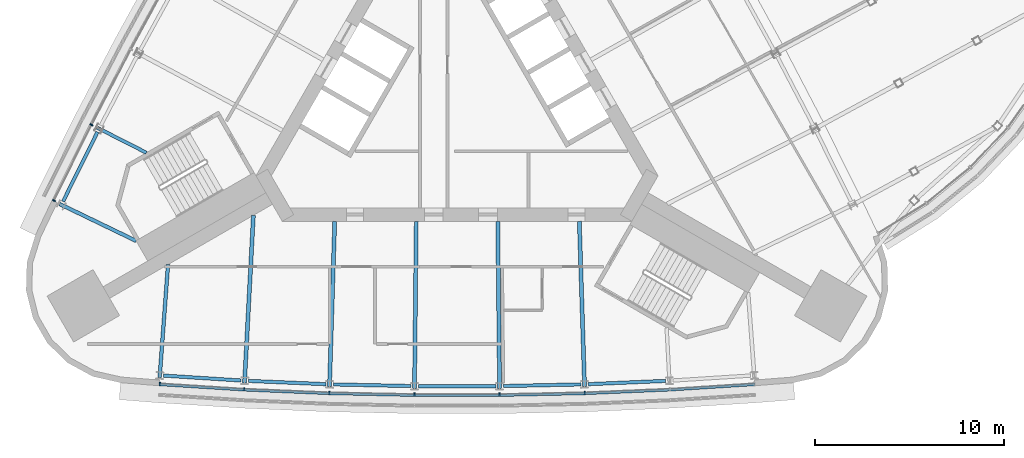
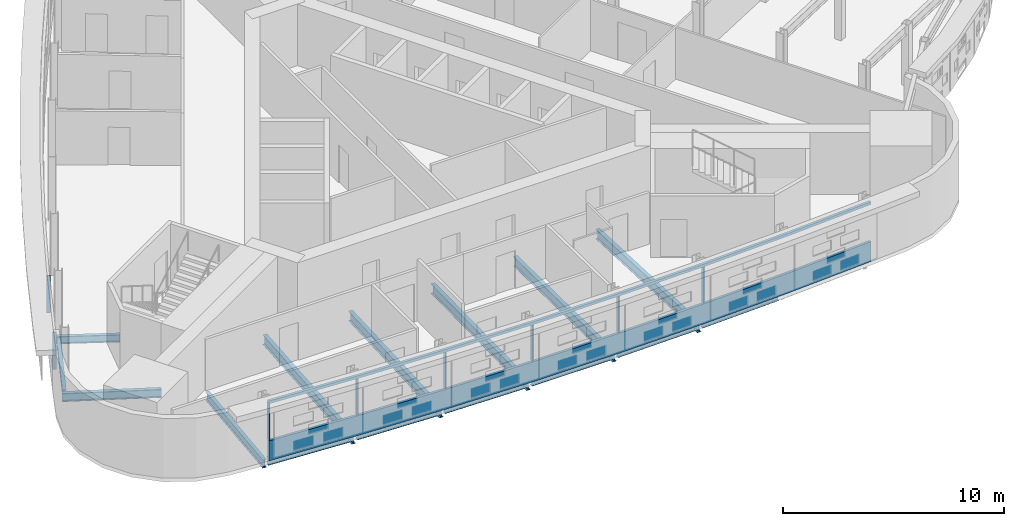
# One storey, part 4 of 15: 15 beams, 10 members, 2 elements without a shape of their own.
"""IFC4 building model written with IfcOpenShell, lengths in metres."""

from ifc_helpers import new_model, si_unit, direction, frame, origin, origin_2d, place, context, subcontext, project, spatial, polyline, rectangle, i_section, outline, extrude, material, material_profile, profile_set, type_object, element, aggregate, save


model = new_model("IFC4")

# Units and contexts
model_context = context("Model", 3, precision=1e-05, world=origin(), true_north=direction((0.0, 1.0)))
body_context = subcontext(model_context, "Body", "Model", "MODEL_VIEW")
ifc_project = project(units=[si_unit("LENGTHUNIT", "METRE"), si_unit("AREAUNIT", "SQUARE_METRE"), si_unit("VOLUMEUNIT", "CUBIC_METRE"), si_unit("PLANEANGLEUNIT", "RADIAN"), si_unit("MASSUNIT", "GRAM", prefix="KILO")], contexts=[model_context])

# Site, building, storey
site_placement = place(None, origin())
site = spatial("IfcSite", under=ifc_project, at=site_placement, CompositionType="ELEMENT")
building_placement = place(site_placement, origin())
building = spatial("IfcBuilding", under=site, at=building_placement, Name="Noor Cloister Tower", CompositionType="ELEMENT")
storey_placement = place(building_placement, frame((0.0, 0.0, 181.5)))
storey = spatial("IfcBuildingStorey", under=building, at=storey_placement, Name="L46", CompositionType="ELEMENT", Elevation=181.5)

# Curtain wall, member
ifc_material_1 = material(Name="Aluminium 6063-T6 anodised", Category="aluminium")
curtain_wall_type = type_object("IfcCurtainWallType", Name="Ribbon curtain wall, upper tower CW5", PredefinedType="NOTDEFINED", material=ifc_material_1)
curtain_wall_1_placement = place(storey_placement, origin())
curtain_wall_1 = element("IfcCurtainWall", 1, at=curtain_wall_1_placement, inside=storey, type_object=curtain_wall_type, Name="CW5 L46 S run 2", PredefinedType="NOTDEFINED")
ifc_material_2 = material(Name="Aluminium 6063-T6 anodised", Category="aluminium")
member_type_1 = type_object("IfcMemberType", Name="Head transom CW5 150", PredefinedType="USERDEFINED", material=ifc_material_2)
member_1_placement = place(storey_placement, frame((0.0, 0.0, 3.14990234375)))
member_1 = element("IfcMember", 2, at=member_1_placement, type_object=member_type_1, Name="CW5 head transom", ObjectType="TRANSOM", PredefinedType="USERDEFINED", context=body_context, shape_type="SweptSolid", body=[
    extrude(outline(polyline([(-15.735595703125, -15.611572265625), (-11.24462890625, -15.8974609375), (-6.748779296875, -16.087890625), (-2.25, -16.183349609375), (2.25, -16.183349609375), (6.748779296875, -16.087890625), (11.24462890625, -15.8974609375), (15.735595703125, -15.611572265625), (15.726806640625, -15.471923828125), (11.2373046875, -15.757568359375), (6.744384765625, -15.947998046875), (2.24853515625, -16.043212890625), (-2.24853515625, -16.043212890625), (-6.744384765625, -15.947998046875), (-11.2373046875, -15.757568359375), (-15.726806640625, -15.471923828125), (-15.735595703125, -15.611572265625)])), origin(), (0.0, 0.0, 1.0), 0.150146484375),
])

# Curtain wall, members
curtain_wall_2_placement = place(storey_placement, origin())
curtain_wall_2 = element("IfcCurtainWall", 3, at=curtain_wall_2_placement, inside=storey, type_object=curtain_wall_type, Name="CW5 L46 NW run 1", PredefinedType="NOTDEFINED")
ifc_material_3 = material(Name="Aluminium 6063-T6 anodised", Category="aluminium")
ifc_material_profile_1 = material_profile(ifc_material_3, rectangle(XDim=0.179931640625, YDim=0.070068359375, at=origin_2d()), Name="180 x 70 mullion")
ifc_profile_set_1 = profile_set([ifc_material_profile_1], Name="Aluminium 6063-T6 anodised")
member_type_2 = type_object("IfcMemberType", Name="Mullion CW5 70 x 180", PredefinedType="MULLION", material=ifc_profile_set_1)
member_2_placement = place(storey_placement, frame((-19.30078125, -1.8349609375, 1.10009765625), z_axis=(0.0, 0.0, 1.0), x_axis=(0.891276079341, -0.45346107925, 0.0)))
member_2 = element("IfcMember", 4, at=member_2_placement, type_object=member_type_2, Name="CW5 mullion 7", PredefinedType="MULLION", context=body_context, shape_type="SweptSolid", body=[
    extrude(rectangle(XDim=0.179931640625, YDim=0.070068359375, at=origin_2d()), origin(), (0.0, 0.0, 1.0), 2.0498046875),
])
member_3_placement = place(storey_placement, frame((-21.28271484375, -5.834716796875, 1.10009765625), z_axis=(0.0, 0.0, 1.0), x_axis=(0.89602851952, -0.44399650022, 0.0)))
member_3 = element("IfcMember", 5, at=member_3_placement, type_object=member_type_2, Name="CW5 mullion 8", PredefinedType="MULLION", context=body_context, shape_type="SweptSolid", body=[
    extrude(rectangle(XDim=0.179931640625, YDim=0.070068359375, at=origin_2d()), origin(), (0.0, 0.0, 1.0), 2.0498046875),
])
aggregate(curtain_wall_2, [member_2, member_3])

# Member
member_4_placement = place(storey_placement, frame((-15.6943359375, -15.51416015625, 1.10009765625), z_axis=(0.0, 0.0, 1.0), x_axis=(0.063502011378, 0.997981710529, 0.0)))
member_4 = element("IfcMember", 6, at=member_4_placement, type_object=member_type_2, Name="CW5 mullion 1", PredefinedType="MULLION", context=body_context, shape_type="SweptSolid", body=[
    extrude(rectangle(XDim=0.179931640625, YDim=0.070068359375, at=origin_2d()), origin(), (0.0, 0.0, 1.0), 2.0498046875),
])

member_5_placement = place(storey_placement, frame((-11.239501953125, -15.797607421875, 1.10009765625), z_axis=(0.0, 0.0, 1.0), x_axis=(0.052929225413, 0.99859826612, 0.0)))
member_5 = element("IfcMember", 7, at=member_5_placement, type_object=member_type_2, Name="CW5 mullion 2", PredefinedType="MULLION", context=body_context, shape_type="SweptSolid", body=[
    extrude(rectangle(XDim=0.179931640625, YDim=0.070068359375, at=origin_2d()), origin(), (0.0, 0.0, 1.0), 2.0498046875),
])

member_6_placement = place(storey_placement, frame((-6.74560546875, -15.988037109375, 1.10009765625), z_axis=(0.0, 0.0, 1.0), x_axis=(0.031767047227, 0.999495299994, 0.0)))
member_6 = element("IfcMember", 8, at=member_6_placement, type_object=member_type_2, Name="CW5 mullion 3", PredefinedType="MULLION", context=body_context, shape_type="SweptSolid", body=[
    extrude(rectangle(XDim=0.179931640625, YDim=0.070068359375, at=origin_2d()), origin(), (0.0, 0.0, 1.0), 2.0498046875),
])

member_7_placement = place(storey_placement, frame((-2.248779296875, -16.083251953125, 1.10009765625), z_axis=(0.0, 0.0, 1.0), x_axis=(0.010590599542, 0.999943918028, 0.0)))
member_7 = element("IfcMember", 9, at=member_7_placement, type_object=member_type_2, Name="CW5 mullion 4", PredefinedType="MULLION", context=body_context, shape_type="SweptSolid", body=[
    extrude(rectangle(XDim=0.179931640625, YDim=0.070068359375, at=origin_2d()), origin(), (0.0, 0.0, 1.0), 2.0498046875),
])

member_8_placement = place(storey_placement, frame((2.248779296875, -16.083251953125, 1.10009765625), z_axis=(0.0, 0.0, 1.0), x_axis=(-0.010590599542, 0.999943918028, 0.0)))
member_8 = element("IfcMember", 10, at=member_8_placement, type_object=member_type_2, Name="CW5 mullion 5", PredefinedType="MULLION", context=body_context, shape_type="SweptSolid", body=[
    extrude(rectangle(XDim=0.179931640625, YDim=0.070068359375, at=origin_2d()), origin(), (0.0, 0.0, 1.0), 2.0498046875),
])

member_9_placement = place(storey_placement, frame((6.74560546875, -15.988037109375, 1.10009765625), z_axis=(0.0, 0.0, 1.0), x_axis=(-0.031767047227, 0.999495299994, 0.0)))
member_9 = element("IfcMember", 11, at=member_9_placement, type_object=member_type_2, Name="CW5 mullion 6", PredefinedType="MULLION", context=body_context, shape_type="SweptSolid", body=[
    extrude(rectangle(XDim=0.179931640625, YDim=0.070068359375, at=origin_2d()), origin(), (0.0, 0.0, 1.0), 2.0498046875),
])

# Beams
ifc_material_4 = material(Name="Steel ASTM A992 Gr 50", Category="steel")
ifc_material_profile_2 = material_profile(ifc_material_4, i_section(OverallWidth=0.177978515625, OverallDepth=0.406005859375, WebThickness=0.0078125, FlangeThickness=0.0126953125, FilletRadius=0.01025390625, at=origin_2d()), Name="W410x60")
ifc_profile_set_2 = profile_set([ifc_material_profile_2], Name="Steel ASTM A992 Gr 50")
beam_type_1 = type_object("IfcBeamType", Name="Radial beam W410x60", PredefinedType="BEAM", material=ifc_profile_set_2)
beam_1_placement = place(storey_placement, frame((-18.99951171875, -1.988037109375, -0.403076171875), z_axis=(0.891237027529, -0.453537827267, 0.0), x_axis=(0.453537827267, 0.891237027529, 0.0)))
element("IfcBeam", 12, at=beam_1_placement, inside=storey, type_object=beam_type_1, Name="Radial beam NW 07 L46", PredefinedType="BEAM", context=body_context, shape_type="SweptSolid", body=[
    extrude(i_section(OverallWidth=0.177978515625, OverallDepth=0.406005859375, WebThickness=0.0078125, FlangeThickness=0.0126953125, FilletRadius=0.01025390625, at=origin_2d()), origin(), (0.0, 0.0, 1.0), 2.913330078125),
])
ifc_material_5 = material(Name="Steel ASTM A992 Gr 50", Category="steel")
ifc_material_profile_3 = material_profile(ifc_material_5, i_section(OverallWidth=0.19091796875, OverallDepth=0.45703125, WebThickness=0.009033203125, FlangeThickness=0.014404296875, FilletRadius=0.01025390625, at=origin_2d()), Name="W460x74")
ifc_profile_set_3 = profile_set([ifc_material_profile_3], Name="Steel ASTM A992 Gr 50")
beam_type_2 = type_object("IfcBeamType", Name="Radial beam W460x74", PredefinedType="BEAM", material=ifc_profile_set_3)
beam_2_placement = place(storey_placement, frame((-20.993408203125, -6.011962890625, -0.428466796875), z_axis=(0.900690144497, -0.434462039315, 0.0), x_axis=(0.434462039315, 0.900690144497, 0.0)))
element("IfcBeam", 13, at=beam_2_placement, inside=storey, type_object=beam_type_2, Name="Radial beam NW 08 L46", PredefinedType="BEAM", context=body_context, shape_type="SweptSolid", body=[
    extrude(i_section(OverallWidth=0.19091796875, OverallDepth=0.45703125, WebThickness=0.009033203125, FlangeThickness=0.014404296875, FilletRadius=0.01025390625, at=origin_2d()), origin(), (0.0, 0.0, 1.0), 4.49609375),
])
beam_3_placement = place(storey_placement, frame((-15.703125, -15.1748046875, -0.428466796875), z_axis=(0.074062786388, 0.997253580426, 0.0), x_axis=(-0.997253580426, 0.074062786388, 0.0)))
element("IfcBeam", 14, at=beam_3_placement, inside=storey, type_object=beam_type_2, Name="Radial beam S 01 L46", PredefinedType="BEAM", context=body_context, shape_type="SweptSolid", body=[
    extrude(i_section(OverallWidth=0.19091796875, OverallDepth=0.45703125, WebThickness=0.009033203125, FlangeThickness=0.014404296875, FilletRadius=0.01025390625, at=origin_2d()), origin(), (0.0, 0.0, 1.0), 5.976318359375),
])
ifc_material_6 = material(Name="Steel ASTM A992 Gr 50", Category="steel")
ifc_material_profile_4 = material_profile(ifc_material_6, i_section(OverallWidth=0.208984375, OverallDepth=0.532958984375, WebThickness=0.01025390625, FlangeThickness=0.015625, FilletRadius=0.0126953125, at=origin_2d()), Name="W530x92")
ifc_profile_set_4 = profile_set([ifc_material_profile_4], Name="Steel ASTM A992 Gr 50")
beam_type_3 = type_object("IfcBeamType", Name="Radial beam W530x92", PredefinedType="BEAM", material=ifc_profile_set_4)
beam_4_placement = place(storey_placement, frame((-11.2216796875, -15.4599609375, -0.466552734375), z_axis=(0.052931955279, 0.998598121423, 0.0), x_axis=(-0.998598121423, 0.052931955279, 0.0)))
element("IfcBeam", 15, at=beam_4_placement, inside=storey, type_object=beam_type_3, Name="Radial beam S 02 L46", PredefinedType="BEAM", context=body_context, shape_type="SweptSolid", body=[
    extrude(i_section(OverallWidth=0.208984375, OverallDepth=0.532958984375, WebThickness=0.01025390625, FlangeThickness=0.015625, FilletRadius=0.0126953125, at=origin_2d()), origin(), (0.0, 0.0, 1.0), 8.8603515625),
])
beam_5_placement = place(storey_placement, frame((-6.73486328125, -15.650146484375, -0.466552734375), z_axis=(0.031754447024, 0.999495700388, 0.0), x_axis=(-0.999495700388, 0.031754447024, 0.0)))
element("IfcBeam", 16, at=beam_5_placement, inside=storey, type_object=beam_type_3, Name="Radial beam S 03 L46", PredefinedType="BEAM", context=body_context, shape_type="SweptSolid", body=[
    extrude(i_section(OverallWidth=0.208984375, OverallDepth=0.532958984375, WebThickness=0.01025390625, FlangeThickness=0.015625, FilletRadius=0.0126953125, at=origin_2d()), origin(), (0.0, 0.0, 1.0), 8.726318359375),
])
for number, where, z_axis, x_axis, name in (
    (17, (-2.245361328125, -15.745361328125, -0.466552734375), (0.010604415465, 0.999943771606, 0.0), (-0.999943771606, 0.010604415465, 0.0), "Radial beam S 04 L46"),
    (18, (2.245361328125, -15.745361328125, -0.466552734375), (-0.010604415465, 0.999943771606, 0.0), (-0.999943771606, -0.010604415465, 0.0), "Radial beam S 05 L46"),
):
    element("IfcBeam", number, at=place(storey_placement, frame(where, z_axis=z_axis, x_axis=x_axis)), inside=storey, type_object=beam_type_3, Name=name, PredefinedType="BEAM", context=body_context, shape_type="SweptSolid", body=[
        extrude(i_section(OverallWidth=0.208984375, OverallDepth=0.532958984375, WebThickness=0.01025390625, FlangeThickness=0.015625, FilletRadius=0.0126953125, at=origin_2d()), origin(), (0.0, 0.0, 1.0), 8.817626953125),
    ])
beam_6_placement = place(storey_placement, frame((6.73486328125, -15.650146484375, -0.466552734375), z_axis=(-0.031754447024, 0.999495700388, 0.0), x_axis=(-0.999495700388, -0.031754447024, 0.0)))
element("IfcBeam", 19, at=beam_6_placement, inside=storey, type_object=beam_type_3, Name="Radial beam S 06 L46", PredefinedType="BEAM", context=body_context, shape_type="SweptSolid", body=[
    extrude(i_section(OverallWidth=0.208984375, OverallDepth=0.532958984375, WebThickness=0.01025390625, FlangeThickness=0.015625, FilletRadius=0.0126953125, at=origin_2d()), origin(), (0.0, 0.0, 1.0), 8.726318359375),
])

# Member
ifc_material_7 = material(Name="Aluminium 6063-T6 anodised", Category="aluminium")
member_type_3 = type_object("IfcMemberType", Name="Sill transom CW5 1100", PredefinedType="USERDEFINED", material=ifc_material_7)
member_10_placement = place(storey_placement, origin())
member_10 = element("IfcMember", 20, at=member_10_placement, type_object=member_type_3, Name="CW5 sill transom", ObjectType="TRANSOM", PredefinedType="USERDEFINED", context=body_context, shape_type="SweptSolid", body=[
    extrude(outline(polyline([(-15.735595703125, -15.611572265625), (-11.24462890625, -15.8974609375), (-6.748779296875, -16.087890625), (-2.25, -16.183349609375), (2.25, -16.183349609375), (6.748779296875, -16.087890625), (11.24462890625, -15.8974609375), (15.735595703125, -15.611572265625), (15.726806640625, -15.471923828125), (11.2373046875, -15.757568359375), (6.744384765625, -15.947998046875), (2.24853515625, -16.043212890625), (-2.24853515625, -16.043212890625), (-6.744384765625, -15.947998046875), (-11.2373046875, -15.757568359375), (-15.726806640625, -15.471923828125), (-15.735595703125, -15.611572265625)])), origin(), (0.0, 0.0, 1.0), 1.10009765625),
])

aggregate(curtain_wall_1, [member_4, member_5, member_6, member_7, member_8, member_9, member_10, member_1])

# Beams
ifc_material_8 = material(Name="Steel ASTM A992 Gr 50", Category="steel")
ifc_material_profile_5 = material_profile(ifc_material_8, i_section(OverallWidth=0.177978515625, OverallDepth=0.406005859375, WebThickness=0.0078125, FlangeThickness=0.0126953125, FilletRadius=0.01025390625, at=origin_2d()), Name="W410x60")
ifc_profile_set_5 = profile_set([ifc_material_profile_5], Name="Steel ASTM A992 Gr 50")
beam_type_4 = type_object("IfcBeamType", Name="Spandrel beam W410x60", PredefinedType="SPANDREL", material=ifc_profile_set_5)
for number, where, z_axis, x_axis, name in (
    (21, (-18.987060546875, -2.215576171875, -0.403076171875), (-0.444014503497, -0.896019598382, 0.0), (0.896019598382, -0.444014503497, 0.0), "Spandrel beam NW 07 L46"),
    (22, (-15.498291015625, -15.07568359375, -0.403076171875), (0.99798140433, -0.063506823352, 0.0), (0.063506823352, 0.99798140433, 0.0), "Spandrel beam S 01 L46"),
    (23, (-11.018798828125, -15.3564453125, -0.403076171875), (0.999103369662, -0.042337415247, 0.0), (0.042337415247, 0.999103369662, 0.0), "Spandrel beam S 02 L46"),
    (24, (-6.534423828125, -15.54248046875, -0.403076171875), (0.999775910356, -0.021169059297, 0.0), (0.021169059297, 0.999775910356, 0.0), "Spandrel beam S 03 L46"),
    (25, (-2.047119140625, -15.63330078125, -0.403076171875), (1.0, 0.0, 0.0), (0.0, 1.0, 0.0), "Spandrel beam S 04 L46"),
    (26, (2.441162109375, -15.629150390625, -0.403076171875), (0.999775910356, 0.021169059297, 0.0), (-0.021169059297, 0.999775910356, 0.0), "Spandrel beam S 05 L46"),
    (27, (6.92822265625, -15.52978515625, -0.403076171875), (0.999103369662, 0.042337415247, 0.0), (-0.042337415247, 0.999103369662, 0.0), "Spandrel beam S 06 L46"),
):
    element("IfcBeam", number, at=place(storey_placement, frame(where, z_axis=z_axis, x_axis=x_axis)), inside=storey, type_object=beam_type_4, Name=name, PredefinedType="SPANDREL", context=body_context, shape_type="SweptSolid", body=[
        extrude(i_section(OverallWidth=0.177978515625, OverallDepth=0.406005859375, WebThickness=0.0078125, FlangeThickness=0.0126953125, FilletRadius=0.01025390625, at=origin_2d()), origin(), (0.0, 0.0, 1.0), 4.09423828125),
    ])

save(model, "model.ifc")
